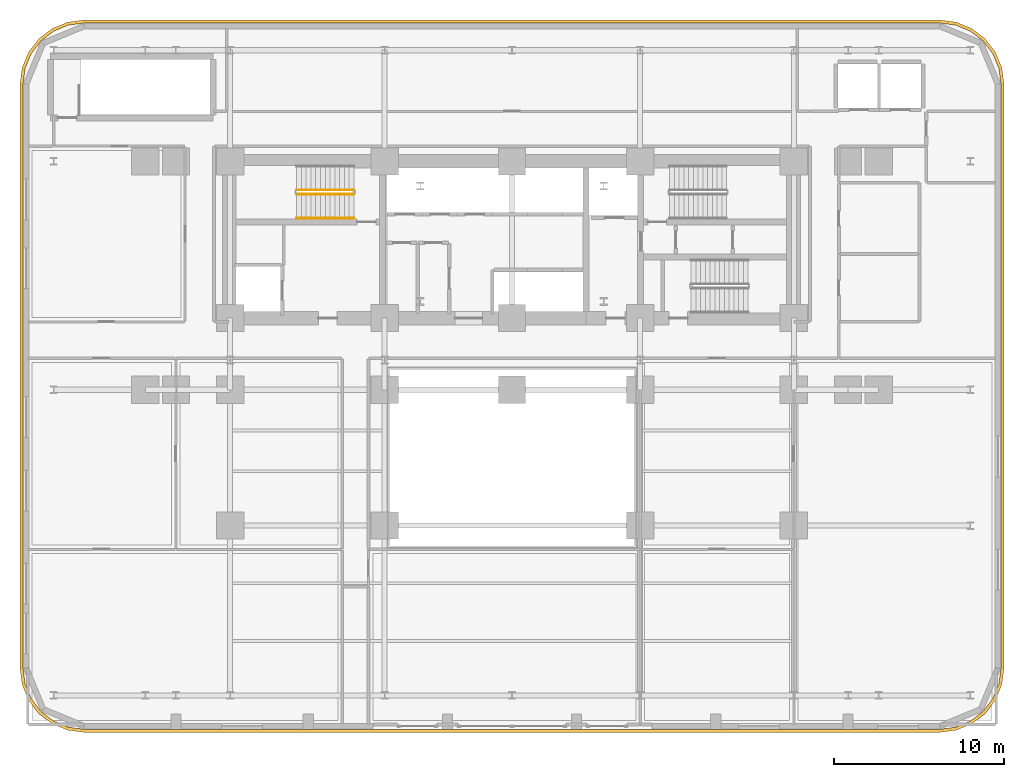
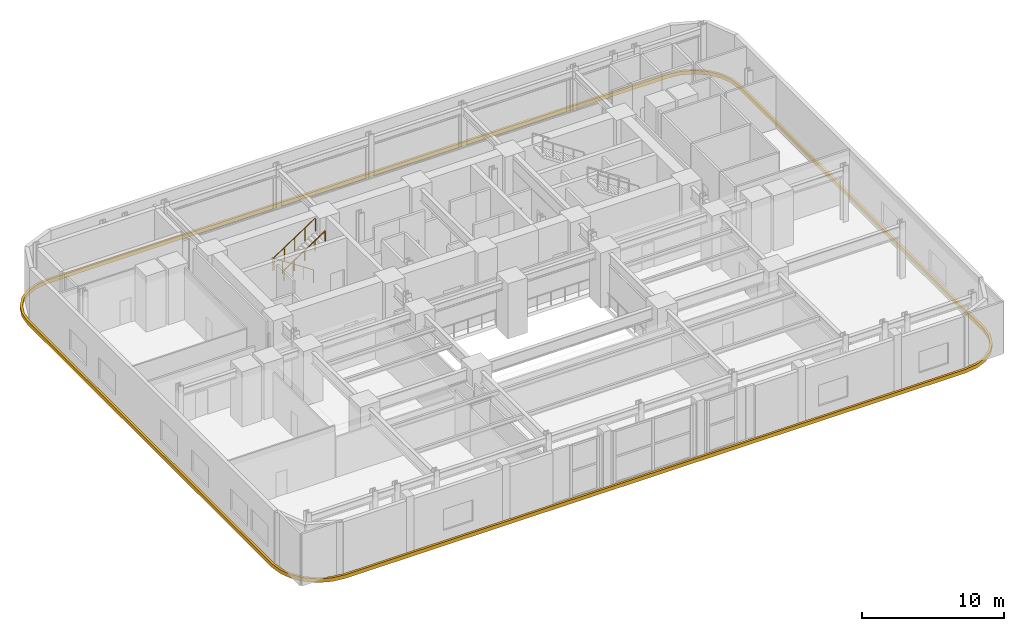
# One storey, part 12 of 15: 3 railings, 1 covering.
"""IFC4 building model written with IfcOpenShell, lengths in metres."""

from ifc_helpers import new_model, si_unit, direction, frame, origin, origin_2d, place, context, subcontext, project, spatial, polyline, rectangle, outline, extrude, material, type_object, element, save


model = new_model("IFC4")

# Units and contexts
model_context = context("Model", 3, precision=1e-05, world=origin(), true_north=direction((0.0, 1.0)))
body_context = subcontext(model_context, "Body", "Model", "MODEL_VIEW")
ifc_project = project(units=[si_unit("LENGTHUNIT", "METRE"), si_unit("AREAUNIT", "SQUARE_METRE"), si_unit("VOLUMEUNIT", "CUBIC_METRE"), si_unit("PLANEANGLEUNIT", "RADIAN"), si_unit("MASSUNIT", "GRAM", prefix="KILO")], contexts=[model_context])

# Site, building, storey
site_placement = place(None, origin())
site = spatial("IfcSite", under=ifc_project, at=site_placement, CompositionType="ELEMENT")
building_placement = place(site_placement, origin())
building = spatial("IfcBuilding", under=site, at=building_placement, Name="Zarnavel Station Tower", CompositionType="ELEMENT")
storey_placement = place(building_placement, frame((0.0, 0.0, 24.199951171875)))
storey = spatial("IfcBuildingStorey", under=building, at=storey_placement, Name="L06", CompositionType="ELEMENT", Elevation=24.199951171875)

# Covering
ifc_material_1 = material(Name="Precast concrete C45/55 (Pale Travertine Slab Band)", Category="masonry")
covering_type = type_object("IfcCoveringType", Name="COV_TRAVERTINE_BAND", PredefinedType="CLADDING", material=ifc_material_1)
covering_placement = place(storey_placement, frame((0.0, 0.0, -0.260009765625)))
element("IfcCovering", 1, at=covering_placement, inside=storey, type_object=covering_type, Name="L06 Pale Travertine Slab-Edge Band", PredefinedType="CLADDING", context=body_context, shape_type="SweptSolid", body=[
    extrude(outline(polyline([(54.0, 3.419921875), (54.978271484375, 3.548828125), (55.889892578125, 3.926513671875), (56.6728515625, 4.527099609375), (57.273681640625, 5.31005859375), (57.651123046875, 6.2216796875), (57.780029296875, 7.199951171875), (57.780029296875, 41.60009765625), (57.651123046875, 42.578369140625), (57.273681640625, 43.489990234375), (56.6728515625, 44.27294921875), (55.889892578125, 44.87353515625), (54.978271484375, 45.251220703125), (54.0, 45.3798828125), (3.60009765625, 45.3798828125), (2.62158203125, 45.251220703125), (1.7099609375, 44.87353515625), (0.927001953125, 44.27294921875), (0.326416015625, 43.489990234375), (-0.05126953125, 42.578369140625), (-0.179931640625, 41.60009765625), (-0.179931640625, 7.199951171875), (-0.05126953125, 6.2216796875), (0.326416015625, 5.31005859375), (0.927001953125, 4.527099609375), (1.7099609375, 3.926513671875), (2.62158203125, 3.548828125), (3.60009765625, 3.419921875), (54.0, 3.419921875)]), holes=[polyline([(54.0, 3.60009765625), (54.931640625, 3.72265625), (55.800048828125, 4.082275390625), (56.545654296875, 4.654296875), (57.11767578125, 5.39990234375), (57.477294921875, 6.268310546875), (57.60009765625, 7.199951171875), (57.60009765625, 41.60009765625), (57.477294921875, 42.53173828125), (57.11767578125, 43.39990234375), (56.545654296875, 44.1455078125), (55.800048828125, 44.7177734375), (54.931640625, 45.077392578125), (54.0, 45.199951171875), (3.60009765625, 45.199951171875), (2.668212890625, 45.077392578125), (1.800048828125, 44.7177734375), (1.054443359375, 44.1455078125), (0.482421875, 43.39990234375), (0.122802734375, 42.53173828125), (0.0, 41.60009765625), (0.0, 7.199951171875), (0.122802734375, 6.268310546875), (0.482421875, 5.39990234375), (1.054443359375, 4.654296875), (1.800048828125, 4.082275390625), (2.668212890625, 3.72265625), (3.60009765625, 3.60009765625), (54.0, 3.60009765625)])]), origin(), (0.0, 0.0, 1.0), 0.320068359375),
])

# Railings
ifc_material_2 = material(Name="Painted Steel S355J2 Balustrade", Category="steel")
railing_type_1 = type_object("IfcRailingType", Name="GR_INT_1150", PredefinedType="GUARDRAIL", material=ifc_material_2)
railing_1_placement = place(storey_placement, frame((19.47998046875, 35.3701171875, 0.1845703125)))
element("IfcRailing", 2, at=railing_1_placement, inside=storey, type_object=railing_type_1, Name="L06 ST1 stair guard 1", PredefinedType="GUARDRAIL", context=body_context, shape_type="SweptSolid", body=[
    extrude(rectangle(XDim=0.048095703125, YDim=0.048095703125, at=origin_2d()), frame((-0.001708984375, 0.0, 1.126953125), z_axis=(-0.83483021737, 0.0, 0.550507500554), x_axis=(0.0, -1.0, 0.0)), (0.0, 0.0, 1.0), 4.0205078125),
    extrude(rectangle(XDim=0.0419921875, YDim=0.0419921875, at=origin_2d()), origin(), (0.0, 0.0, 1.0), 1.101806640625),
    extrude(rectangle(XDim=0.0419921875, YDim=0.0419921875, at=origin_2d()), frame((-0.83984375, 0.0, 0.553955078125)), (0.0, 0.0, 1.0), 1.101806640625),
    extrude(rectangle(XDim=0.0419921875, YDim=0.0419921875, at=origin_2d()), frame((-1.679931640625, 0.0, 1.10791015625)), (0.0, 0.0, 1.0), 1.101806640625),
    extrude(rectangle(XDim=0.0419921875, YDim=0.0419921875, at=origin_2d()), frame((-2.52001953125, 0.0, 1.66162109375)), (0.0, 0.0, 1.0), 1.101806640625),
    extrude(rectangle(XDim=0.0419921875, YDim=0.0419921875, at=origin_2d()), frame((-3.35986328125, 0.0, 2.215576171875)), (0.0, 0.0, 1.0), 1.101806640625),
])
railing_2_placement = place(storey_placement, frame((16.1201171875, 35.110107421875, 2.584716796875)))
element("IfcRailing", 3, at=railing_2_placement, inside=storey, type_object=railing_type_1, Name="L06 ST1 stair guard 3", PredefinedType="GUARDRAIL", context=body_context, shape_type="SweptSolid", body=[
    extrude(rectangle(XDim=0.048095703125, YDim=0.048095703125, at=origin_2d()), frame((0.001708984375, 0.0, 1.126953125), z_axis=(0.834858096282, 0.0, 0.550465220583), x_axis=(0.0, 1.0, 0.0)), (0.0, 0.0, 1.0), 4.0205078125),
    extrude(rectangle(XDim=0.0419921875, YDim=0.0419921875, at=origin_2d()), origin(), (0.0, 0.0, 1.0), 1.101806640625),
    extrude(rectangle(XDim=0.0419921875, YDim=0.0419921875, at=origin_2d()), frame((0.83984375, 0.0, 0.5537109375)), (0.0, 0.0, 1.0), 1.101806640625),
    extrude(rectangle(XDim=0.0419921875, YDim=0.0419921875, at=origin_2d()), frame((1.679931640625, 0.0, 1.107666015625)), (0.0, 0.0, 1.0), 1.101806640625),
    extrude(rectangle(XDim=0.0419921875, YDim=0.0419921875, at=origin_2d()), frame((2.52001953125, 0.0, 1.66162109375)), (0.0, 0.0, 1.0), 1.101806640625),
    extrude(rectangle(XDim=0.0419921875, YDim=0.0419921875, at=origin_2d()), frame((3.35986328125, 0.0, 2.21533203125)), (0.0, 0.0, 1.0), 1.101806640625),
])
ifc_material_3 = material(Name="Brushed Stainless Steel S355J2 Handrail", Category="steel")
railing_type_2 = type_object("IfcRailingType", Name="HR_STAIR_900", PredefinedType="HANDRAIL", material=ifc_material_3)
railing_3_placement = place(storey_placement, frame((16.1201171875, 33.7099609375, 2.584716796875)))
element("IfcRailing", 4, at=railing_3_placement, inside=storey, type_object=railing_type_2, Name="L06 ST1 stair handrail 2", PredefinedType="HANDRAIL", context=body_context, shape_type="SweptSolid", body=[
    extrude(rectangle(XDim=0.048095703125, YDim=0.048095703125, at=origin_2d()), frame((0.001708984375, 0.0, 0.876953125), z_axis=(0.834858096282, 0.0, 0.550465220583), x_axis=(0.0, 1.0, 0.0)), (0.0, 0.0, 1.0), 4.0205078125),
    extrude(rectangle(XDim=0.0419921875, YDim=0.0419921875, at=origin_2d()), origin(), (0.0, 0.0, 1.0), 0.851806640625),
    extrude(rectangle(XDim=0.0419921875, YDim=0.0419921875, at=origin_2d()), frame((0.83984375, 0.0, 0.5537109375)), (0.0, 0.0, 1.0), 0.851806640625),
    extrude(rectangle(XDim=0.0419921875, YDim=0.0419921875, at=origin_2d()), frame((1.679931640625, 0.0, 1.107666015625)), (0.0, 0.0, 1.0), 0.851806640625),
    extrude(rectangle(XDim=0.0419921875, YDim=0.0419921875, at=origin_2d()), frame((2.52001953125, 0.0, 1.66162109375)), (0.0, 0.0, 1.0), 0.851806640625),
    extrude(rectangle(XDim=0.0419921875, YDim=0.0419921875, at=origin_2d()), frame((3.35986328125, 0.0, 2.21533203125)), (0.0, 0.0, 1.0), 0.851806640625),
])

save(model, "model.ifc")
